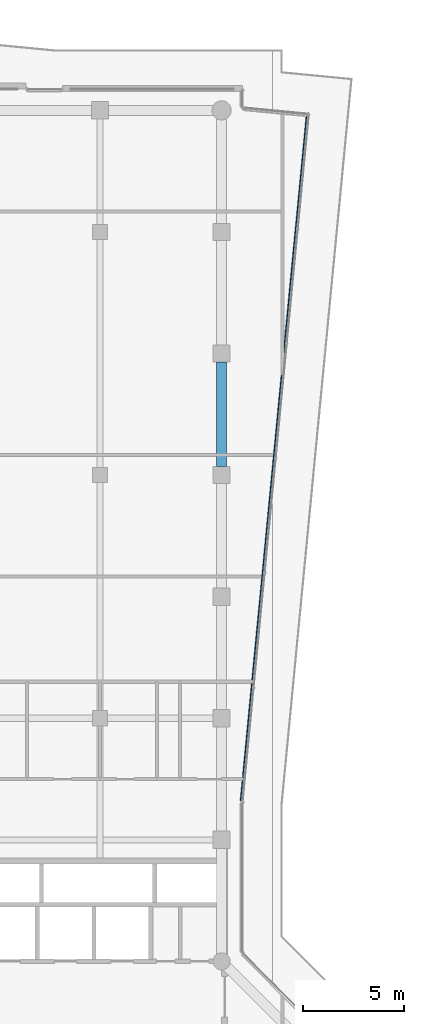
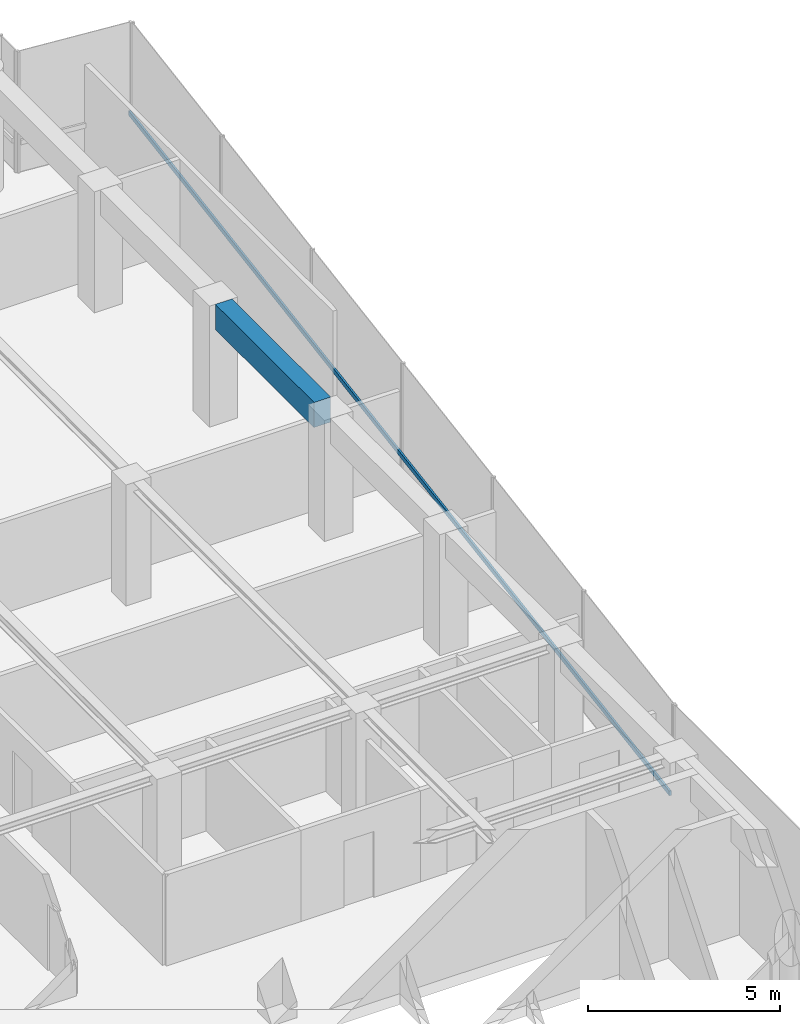
# One storey, part 14 of 25: 1 beam, 1 member, 1 element without a shape of its own.
"""IFC4 building model written with IfcOpenShell, lengths in metres."""

from ifc_helpers import new_model, si_unit, direction, frame, origin, origin_2d, place, context, subcontext, project, spatial, rectangle, extrude, material, layer, layer_set, material_profile, profile_set, type_object, element, aggregate, save


model = new_model("IFC4")

# Units and contexts
model_context = context("Model", 3, precision=1e-05, world=origin(), true_north=direction((0.0, 1.0)))
body_context = subcontext(model_context, "Body", "Model", "MODEL_VIEW")
ifc_project = project(units=[si_unit("LENGTHUNIT", "METRE"), si_unit("AREAUNIT", "SQUARE_METRE"), si_unit("VOLUMEUNIT", "CUBIC_METRE"), si_unit("PLANEANGLEUNIT", "RADIAN"), si_unit("MASSUNIT", "GRAM", prefix="KILO")], contexts=[model_context])

# Site, building, storey
site_placement = place(None, origin())
site = spatial("IfcSite", under=ifc_project, at=site_placement, CompositionType="ELEMENT")
building_placement = place(site_placement, origin())
building = spatial("IfcBuilding", under=site, at=building_placement, Name="Welwitschia Terrace Campus", CompositionType="ELEMENT")
storey_placement = place(building_placement, frame((0.0, 0.0, 264.199951171875)))
storey = spatial("IfcBuildingStorey", under=building, at=storey_placement, Name="L58", CompositionType="ELEMENT", Elevation=264.199951171875)

# Beam
ifc_material_1 = material(Name="Concrete C50/60", Category="concrete")
ifc_material_profile_1 = material_profile(ifc_material_1, rectangle(XDim=0.5, YDim=0.800048828125, at=origin_2d()))
ifc_profile_set_1 = profile_set([ifc_material_profile_1], Name="Concrete C50/60")
beam_type = type_object("IfcBeamType", Name="Ring spandrel 500x800", PredefinedType="SPANDREL", material=ifc_profile_set_1)
beam_placement = place(storey_placement, frame((24.0, 44.425537109375, 3.449951171875), z_axis=(0.0, 1.0, 0.0), x_axis=(-1.0, 0.0, 0.0)))
element("IfcBeam", 1, at=beam_placement, inside=storey, type_object=beam_type, Name="Spandrel SP4", PredefinedType="SPANDREL", context=body_context, shape_type="SweptSolid", body=[
    extrude(rectangle(XDim=0.5, YDim=0.800048828125, at=origin_2d()), origin(), (0.0, 0.0, 1.0), 5.14892578125),
])

# Curtain wall, member
ifc_material_2 = material(Name="Bronze anodised aluminium", Category="aluminium")
ifc_layer = layer(ifc_material_2, 0.1201171875)
ifc_layer_set = layer_set([ifc_layer], Name="Bronze anodised aluminium")
curtain_wall_type = type_object("IfcCurtainWallType", Name="Curtain wall CW2 tower 6000", PredefinedType="NOTDEFINED", material=ifc_layer_set)
curtain_wall_placement = place(storey_placement, origin())
curtain_wall = element("IfcCurtainWall", 2, at=curtain_wall_placement, inside=storey, type_object=curtain_wall_type, Name="CW L58.10.0", PredefinedType="NOTDEFINED")
ifc_material_3 = material(Name="Bronze anodised aluminium", Category="aluminium")
ifc_material_profile_2 = material_profile(ifc_material_3, rectangle(XDim=0.06005859375, YDim=0.14990234375, at=origin_2d()))
ifc_profile_set_2 = profile_set([ifc_material_profile_2], Name="Bronze anodised aluminium")
member_type = type_object("IfcMemberType", Name="Transom 60x150", PredefinedType="USERDEFINED", material=ifc_profile_set_2)
member_placement = place(storey_placement, frame((24.946044921875, 27.92529296875, 1.0), z_axis=(0.095850634221, 0.995395728301, 0.0), x_axis=(-0.995395728301, 0.095850634221, 0.0)))
member = element("IfcMember", 3, at=member_placement, type_object=member_type, Name="Transom L58.10.0", ObjectType="TRANSOM", PredefinedType="USERDEFINED", context=body_context, shape_type="SweptSolid", body=[
    extrude(rectangle(XDim=0.06005859375, YDim=0.14990234375, at=origin_2d()), origin(), (0.0, 0.0, 1.0), 33.990966796875),
])
aggregate(curtain_wall, [member])

save(model, "model.ifc")
